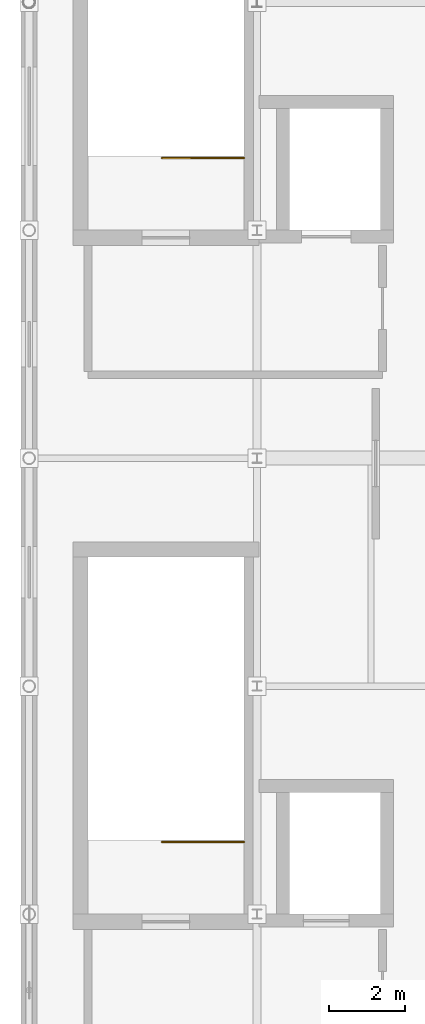
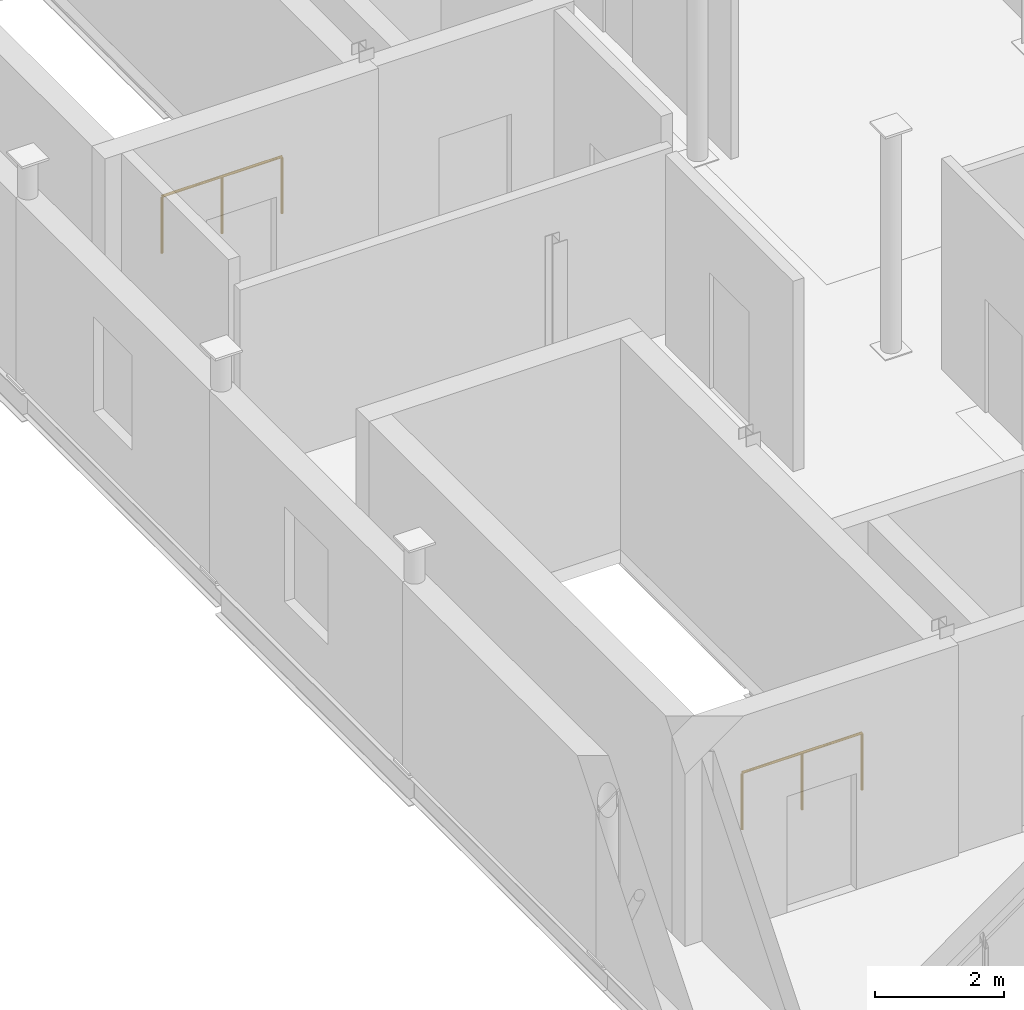
# One storey, part 27 of 27: 2 railings.
"""IFC4 building model written with IfcOpenShell, lengths in metres."""

from ifc_helpers import new_model, si_unit, direction, frame, origin, origin_2d, place, context, subcontext, project, spatial, circle, extrude, material, type_object, element, save


model = new_model("IFC4")

# Units and contexts
model_context = context("Model", 3, precision=1e-05, world=origin(), true_north=direction((0.0, 1.0)))
body_context = subcontext(model_context, "Body", "Model", "MODEL_VIEW")
ifc_project = project(units=[si_unit("LENGTHUNIT", "METRE"), si_unit("AREAUNIT", "SQUARE_METRE"), si_unit("VOLUMEUNIT", "CUBIC_METRE"), si_unit("PLANEANGLEUNIT", "RADIAN"), si_unit("MASSUNIT", "GRAM", prefix="KILO")], contexts=[model_context])

# Site, building, storey
site_placement = place(None, origin())
site = spatial("IfcSite", under=ifc_project, at=site_placement, CompositionType="ELEMENT")
building_placement = place(site_placement, origin())
building = spatial("IfcBuilding", under=site, at=building_placement, Name="Verrall Gate Interchange", CompositionType="ELEMENT")
storey_placement = place(building_placement, frame((0.0, 0.0, 28.60009765625)))
storey = spatial("IfcBuildingStorey", under=building, at=storey_placement, Name="L07", CompositionType="ELEMENT", Elevation=28.60009765625)

# Railings
ifc_material = material(Name="Brushed Stainless-Steel Guardrail and Handrail System", Category="steel")
railing_type = type_object("IfcRailingType", Name="GR-02 Interior Atrium and Stair Guardrail 1100", PredefinedType="GUARDRAIL", material=ifc_material)
for number, where, name in (
    (1, (11.64990234375, 17.89990234375, 0.0), "L07 ST-01 top well guard 1"),
    (2, (11.64990234375, 35.89990234375, 0.0), "L07 ST-02 top well guard 1"),
):
    element("IfcRailing", number, at=place(storey_placement, frame(where)), inside=storey, type_object=railing_type, Name=name, PredefinedType="GUARDRAIL", context=body_context, shape_type="SweptSolid", body=[
        extrude(circle(Radius=0.02392578125, at=origin_2d()), frame((0.0, 0.0, 1.076171875), z_axis=(-1.0, 0.0, 0.0), x_axis=(0.0, -1.0, 0.0)), (0.0, 0.0, 1.0), 2.14990234375),
        extrude(circle(Radius=0.02099609375, at=origin_2d()), origin(), (0.0, 0.0, 1.0), 1.052001953125),
        extrude(circle(Radius=0.02099609375, at=origin_2d()), frame((-1.074951171875, 0.0, 0.0)), (0.0, 0.0, 1.0), 1.052001953125),
        extrude(circle(Radius=0.02099609375, at=origin_2d()), frame((-2.14990234375, 0.0, 0.0)), (0.0, 0.0, 1.0), 1.052001953125),
    ])

save(model, "model.ifc")
